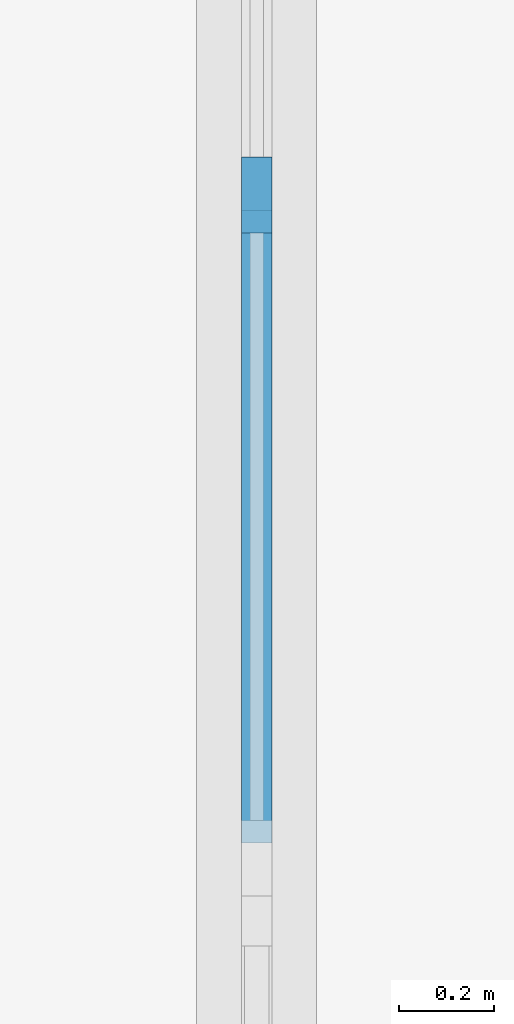
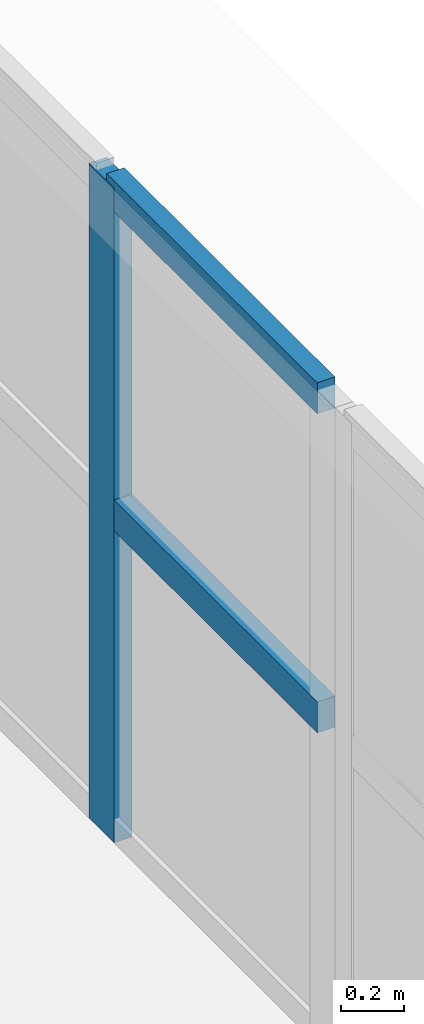
# One storey, part 39 of 74: 3 members, 1 element without a shape of its own.
"""IFC4 building model written with IfcOpenShell, lengths in metres."""

from ifc_helpers import new_model, si_unit, direction, frame, origin, origin_2d, place, context, subcontext, project, spatial, rectangle, extrude, material, layer, layer_set, material_profile, profile_set, type_object, element, aggregate, save


model = new_model("IFC4")

# Units and contexts
model_context = context("Model", 3, precision=1e-05, world=origin(), true_north=direction((0.0, 1.0)))
body_context = subcontext(model_context, "Body", "Model", "MODEL_VIEW")
ifc_project = project(units=[si_unit("LENGTHUNIT", "METRE"), si_unit("AREAUNIT", "SQUARE_METRE"), si_unit("VOLUMEUNIT", "CUBIC_METRE"), si_unit("PLANEANGLEUNIT", "RADIAN"), si_unit("MASSUNIT", "GRAM", prefix="KILO"), si_unit("THERMODYNAMICTEMPERATUREUNIT", "KELVIN"), si_unit("POWERUNIT", "WATT")], contexts=[model_context])

# Site, building, storey
site_placement = place(None, origin())
site = spatial("IfcSite", under=ifc_project, at=site_placement, CompositionType="ELEMENT")
building_placement = place(site_placement, origin())
building = spatial("IfcBuilding", under=site, at=building_placement, Name="Tembeka Court Mobility Hub", CompositionType="ELEMENT")
storey_placement = place(building_placement, frame((0.0, 0.0, 12.60009765625)))
storey = spatial("IfcBuildingStorey", under=building, at=storey_placement, Name="L03", CompositionType="ELEMENT", Elevation=12.60009765625)

# Curtain wall, members
ifc_material = material(Name="Anodised aluminium 6063-T6", Category="aluminium")
ifc_layer = layer(ifc_material, 0.159912109375)
ifc_layer_set = layer_set([ifc_layer], Name="Anodised aluminium 6063-T6")
curtain_wall_type = type_object("IfcCurtainWallType", Name="CW-SYS52", PredefinedType="USERDEFINED", material=ifc_layer_set)
curtain_wall_placement = place(storey_placement, origin())
curtain_wall = element("IfcCurtainWall", 1, at=curtain_wall_placement, inside=storey, type_object=curtain_wall_type, Name="Unitised curtain wall CW52 (CW-L03-137)", ObjectType="UNITISED GLAZING", PredefinedType="USERDEFINED")
ifc_material_profile_1 = material_profile(ifc_material, rectangle(XDim=0.06494140625, YDim=0.159912109375, at=origin_2d()), Name="ALU-MUL 65x160")
ifc_profile_set_1 = profile_set([ifc_material_profile_1], Name="Anodised aluminium 6063-T6")
member_type_1 = type_object("IfcMemberType", Name="CW-MUL01", PredefinedType="MULLION", material=ifc_profile_set_1)
member_1_placement = place(storey_placement, frame((176.39990234375, 30.949951171875, 0.0), z_axis=(0.0, 0.0, 1.0), x_axis=(-1.0, 0.0, 0.0)))
member_1 = element("IfcMember", 2, at=member_1_placement, type_object=member_type_1, Name="CW52 mullion 2", PredefinedType="MULLION", context=body_context, shape_type="SweptSolid", body=[
    extrude(rectangle(XDim=0.06494140625, YDim=0.159912109375, at=origin_2d()), origin(), (0.0, 0.0, 1.0), 2.534912109375),
])
ifc_material_profile_2 = material_profile(ifc_material, rectangle(XDim=0.06494140625, YDim=0.1201171875, at=origin_2d()), Name="ALU-TRN 65x120")
ifc_profile_set_2 = profile_set([ifc_material_profile_2], Name="Anodised aluminium 6063-T6")
member_type_2 = type_object("IfcMemberType", Name="CW-TRN01", PredefinedType="USERDEFINED", material=ifc_profile_set_2)
member_2_placement = place(storey_placement, frame((176.39990234375, 29.5810546875, 1.267333984375), z_axis=(0.0, 1.0, 0.0), x_axis=(-1.0, 0.0, 0.0)))
member_2 = element("IfcMember", 3, at=member_2_placement, type_object=member_type_2, Name="CW52 transom 1.2", ObjectType="TRANSOM", PredefinedType="USERDEFINED", context=body_context, shape_type="SweptSolid", body=[
    extrude(rectangle(XDim=0.06494140625, YDim=0.1201171875, at=origin_2d()), origin(), (0.0, 0.0, 1.0), 1.33642578125),
])
member_3_placement = place(storey_placement, frame((176.39990234375, 29.5810546875, 2.50244140625), z_axis=(0.0, 1.0, 0.0), x_axis=(-1.0, 0.0, 0.0)))
member_3 = element("IfcMember", 4, at=member_3_placement, type_object=member_type_2, Name="CW52 transom 1.3", ObjectType="TRANSOM", PredefinedType="USERDEFINED", context=body_context, shape_type="SweptSolid", body=[
    extrude(rectangle(XDim=0.06494140625, YDim=0.1201171875, at=origin_2d()), origin(), (0.0, 0.0, 1.0), 1.33642578125),
])
aggregate(curtain_wall, [member_1, member_2, member_3])

save(model, "model.ifc")
